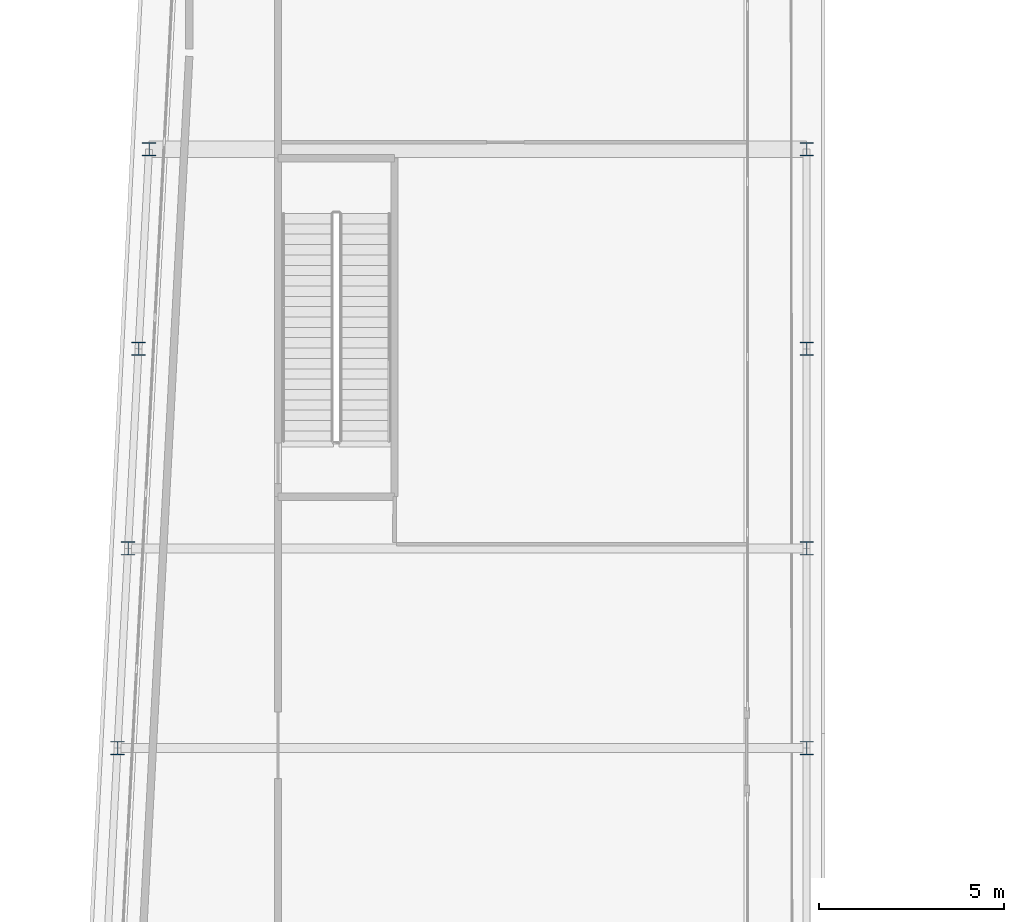
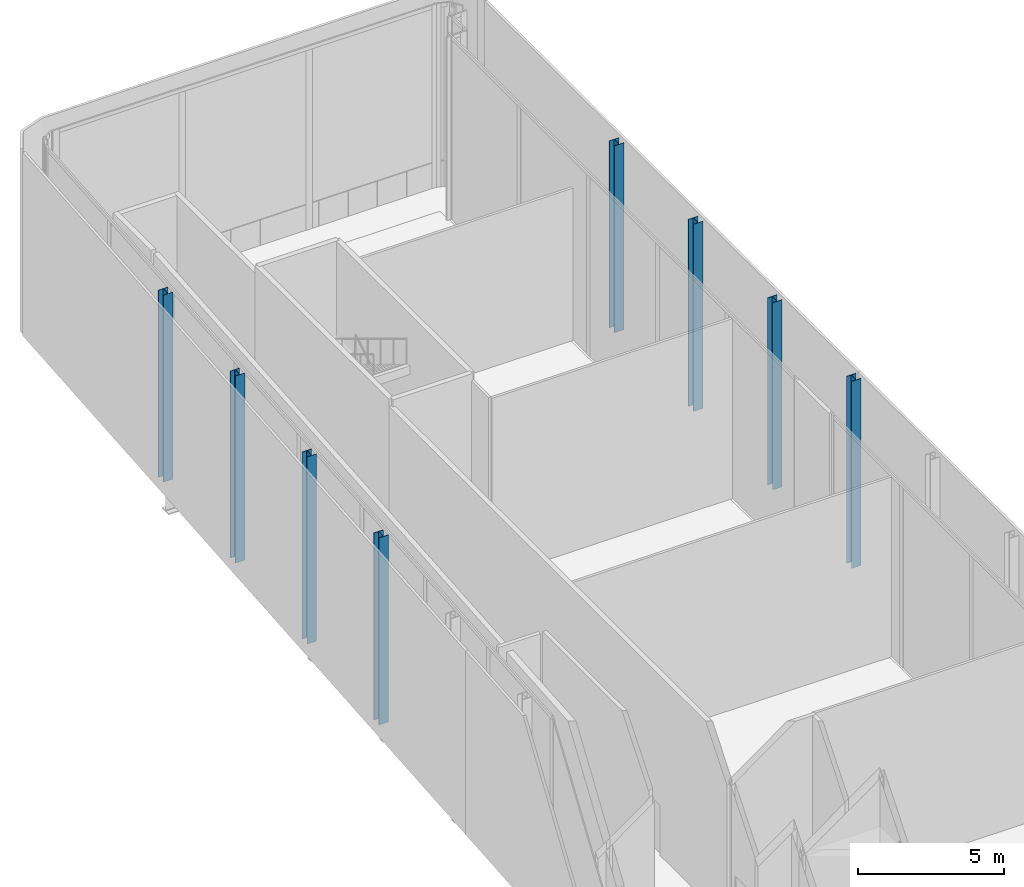
# One storey, part 3 of 23: 8 columns.
"""IFC4 building model written with IfcOpenShell, lengths in metres."""

from ifc_helpers import new_model, si_unit, direction, frame, origin, origin_2d, place, context, subcontext, project, spatial, i_section, extrude, material, material_profile, profile_set, type_object, element, save


model = new_model("IFC4")

# Units and contexts
model_context = context("Model", 3, precision=1e-05, world=origin(), true_north=direction((0.0, 1.0)))
body_context = subcontext(model_context, "Body", "Model", "MODEL_VIEW")
ifc_project = project(units=[si_unit("LENGTHUNIT", "METRE"), si_unit("AREAUNIT", "SQUARE_METRE"), si_unit("VOLUMEUNIT", "CUBIC_METRE"), si_unit("PLANEANGLEUNIT", "RADIAN"), si_unit("MASSUNIT", "GRAM", prefix="KILO")], contexts=[model_context])

# Site, building, storey
site_placement = place(None, origin())
site = spatial("IfcSite", under=ifc_project, at=site_placement, CompositionType="ELEMENT")
building_placement = place(site_placement, origin())
building = spatial("IfcBuilding", under=site, at=building_placement, Name="Kheshtan School and Residences Tower", CompositionType="ELEMENT")
storey_placement = place(building_placement, frame((0.0, 0.0, 389.0)))
storey = spatial("IfcBuildingStorey", under=building, at=storey_placement, Name="L92", CompositionType="ELEMENT", Elevation=389.0)

# Columns
ifc_material = material(Name="Steel ASTM A992 Grade 50", Category="steel")
ifc_material_profile = material_profile(ifc_material, i_section(OverallWidth=0.37109375, OverallDepth=0.364013671875, WebThickness=0.01318359375, FlangeThickness=0.021728515625, FilletRadius=0.010986328125, at=origin_2d()), Name="W360x162")
ifc_profile_set = profile_set([ifc_material_profile], Name="Steel ASTM A992 Grade 50")
column_type = type_object("IfcColumnType", Name="Column C6 W360x162 ASTM A992 Grade 50", PredefinedType="COLUMN", material=ifc_profile_set)
for number, where, z_axis, x_axis, name in (
    (1, (28.9580078125, 72.60009765625, 0.0), (0.0, 0.0, 1.0), (1.0, 0.0, 0.0), "Column C086"),
    (2, (47.60009765625, 72.60009765625, 0.0), (0.0, 0.0, 1.0), (1.0, 0.0, 0.0), "Column C087"),
    (3, (29.242919921875, 78.0, 0.0), (0.0, 0.0, 1.0), (1.0, 0.0, 0.0), "Column C088"),
    (4, (47.60009765625, 78.0, 0.0), (0.0, 0.0, 1.0), (1.0, 0.0, 0.0), "Column C089"),
    (5, (29.527099609375, 83.39990234375, 0.0), (0.0, 0.0, 1.0), (1.0, 0.0, 0.0), "Column C090"),
    (6, (47.60009765625, 83.39990234375, 0.0), (0.0, 0.0, 1.0), (1.0, 0.0, 0.0), "Column C091"),
    (7, (29.81103515625, 88.800048828125, 0.0), (0.0, 0.0, 1.0), (1.0, 0.0, 0.0), "Column C098"),
    (8, (47.60009765625, 88.800048828125, 0.0), (0.0, 0.0, 1.0), (1.0, 0.0, 0.0), "Column C099"),
):
    element("IfcColumn", number, at=place(storey_placement, frame(where, z_axis=z_axis, x_axis=x_axis)), inside=storey, type_object=column_type, Name=name, PredefinedType="COLUMN", context=body_context, shape_type="SweptSolid", body=[
        extrude(i_section(OverallWidth=0.37109375, OverallDepth=0.364013671875, WebThickness=0.01318359375, FlangeThickness=0.021728515625, FilletRadius=0.010986328125, at=origin_2d()), origin(), (0.0, 0.0, 1.0), 7.800048828125),
    ])

save(model, "model.ifc")
